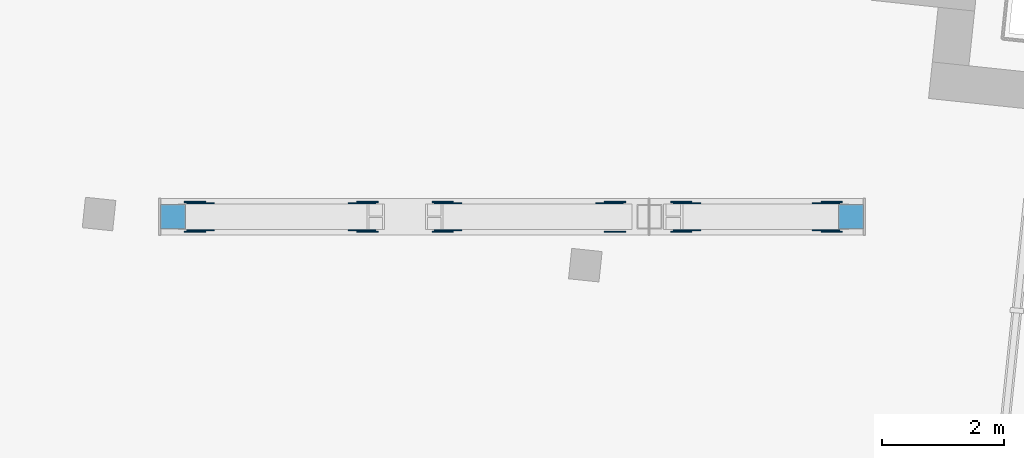
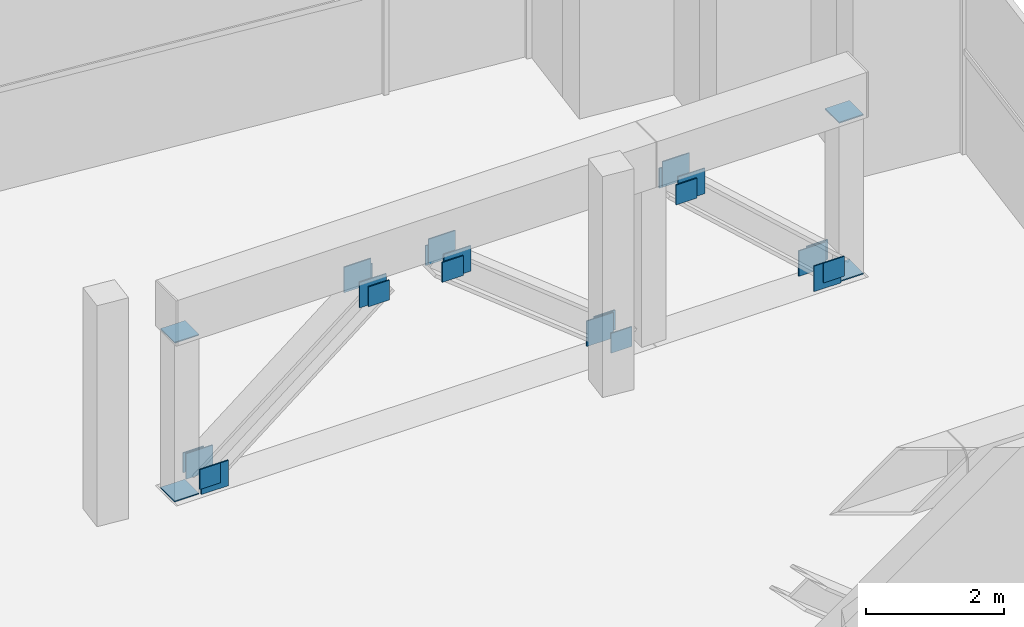
# One storey, part 13 of 18: 27 discrete accessories.
"""IFC4 building model written with IfcOpenShell, lengths in metres."""

from ifc_helpers import new_model, si_unit, direction, frame, origin, origin_2d, place, context, subcontext, project, spatial, rectangle, extrude, element, save


model = new_model("IFC4")

# Units and contexts
model_context = context("Model", 3, precision=1e-05, world=origin(), true_north=direction((0.0, 1.0)))
body_context = subcontext(model_context, "Body", "Model", "MODEL_VIEW")
ifc_project = project(units=[si_unit("LENGTHUNIT", "METRE"), si_unit("AREAUNIT", "SQUARE_METRE"), si_unit("VOLUMEUNIT", "CUBIC_METRE"), si_unit("PLANEANGLEUNIT", "RADIAN"), si_unit("MASSUNIT", "GRAM", prefix="KILO")], contexts=[model_context])

# Site, building, storey
site_placement = place(None, origin())
site = spatial("IfcSite", under=ifc_project, at=site_placement, CompositionType="ELEMENT")
building_placement = place(site_placement, origin())
building = spatial("IfcBuilding", under=site, at=building_placement, Name="Vidyagriha Tower", CompositionType="ELEMENT")
storey_placement = place(building_placement, frame((0.0, 0.0, 249.199951171875)))
storey = spatial("IfcBuildingStorey", under=building, at=storey_placement, Name="L64", CompositionType="ELEMENT", Elevation=249.199951171875)

# Discrete accessories
for number, where, name in (
    (1, (18.654052734375, 11.221923828125, 0.0), "Truss gusset plate ASTM A572 Grade 50 20mm"),
    (2, (18.654052734375, 10.778076171875, 0.0), "Truss gusset plate ASTM A572 Grade 50 20mm"),
    (3, (21.2958984375, 11.221923828125, 2.3701171875), "Truss gusset plate ASTM A572 Grade 50 20mm"),
    (4, (21.2958984375, 10.778076171875, 2.3701171875), "Truss gusset plate ASTM A572 Grade 50 20mm"),
    (5, (22.7041015625, 11.221923828125, 2.3701171875), "Truss gusset plate ASTM A572 Grade 50 20mm"),
    (6, (22.7041015625, 10.778076171875, 2.3701171875), "Truss gusset plate ASTM A572 Grade 50 20mm"),
    (7, (25.345947265625, 11.221923828125, 0.0), "Truss gusset plate ASTM A572 Grade 50 20mm"),
    (8, (26.614013671875, 11.221923828125, 2.3701171875), "Truss gusset plate ASTM A572 Grade 50 20mm"),
    (9, (26.614013671875, 10.778076171875, 2.3701171875), "Truss gusset plate ASTM A572 Grade 50 20mm"),
    (10, (28.885986328125, 11.221923828125, 0.0), "Truss gusset plate ASTM A572 Grade 50 20mm"),
    (11, (28.885986328125, 10.778076171875, 0.0), "Truss gusset plate ASTM A572 Grade 50 20mm"),
):
    element("IfcDiscreteAccessory", number, at=place(storey_placement, frame(where)), inside=storey, Name=name, ObjectType="GUSSET PLATE", PredefinedType="USERDEFINED", context=body_context, shape_type="SweptSolid", body=[
        extrude(rectangle(XDim=0.449951171875, YDim=0.02001953125, at=origin_2d()), origin(), (0.0, 0.0, 1.0), 0.449951171875),
    ])
for number, where, z_axis, x_axis, name in (
    (12, (18.566162109375, 10.757568359375, 0.11572265625), (0.0, 0.0, 1.0), (-1.0, 0.0, 0.0), "End plate ASTM A572 Grade 50 20mm"),
    (13, (18.566162109375, 11.242431640625, 0.11572265625), (0.0, 0.0, 1.0), (-1.0, 0.0, 0.0), "End plate ASTM A572 Grade 50 20mm"),
):
    element("IfcDiscreteAccessory", number, at=place(storey_placement, frame(where, z_axis=z_axis, x_axis=x_axis)), inside=storey, Name=name, ObjectType="END PLATE", PredefinedType="USERDEFINED", context=body_context, shape_type="SweptSolid", body=[
        extrude(rectangle(XDim=0.35009765625, YDim=0.02001953125, at=origin_2d()), origin(), (0.0, 0.0, 1.0), 0.35009765625),
    ])
for number, where, name in (
    (14, (21.3837890625, 11.242431640625, 2.354248046875), "End plate ASTM A572 Grade 50 20mm"),
    (15, (21.3837890625, 10.757568359375, 2.354248046875), "End plate ASTM A572 Grade 50 20mm"),
):
    element("IfcDiscreteAccessory", number, at=place(storey_placement, frame(where)), inside=storey, Name=name, ObjectType="END PLATE", PredefinedType="USERDEFINED", context=body_context, shape_type="SweptSolid", body=[
        extrude(rectangle(XDim=0.35009765625, YDim=0.02001953125, at=origin_2d()), origin(), (0.0, 0.0, 1.0), 0.35009765625),
    ])
for number, where, z_axis, x_axis, name in (
    (16, (22.6162109375, 10.757568359375, 2.354248046875), (0.0, 0.0, 1.0), (-1.0, 0.0, 0.0), "End plate ASTM A572 Grade 50 20mm"),
    (17, (22.6162109375, 11.242431640625, 2.354248046875), (0.0, 0.0, 1.0), (-1.0, 0.0, 0.0), "End plate ASTM A572 Grade 50 20mm"),
):
    element("IfcDiscreteAccessory", number, at=place(storey_placement, frame(where, z_axis=z_axis, x_axis=x_axis)), inside=storey, Name=name, ObjectType="END PLATE", PredefinedType="USERDEFINED", context=body_context, shape_type="SweptSolid", body=[
        extrude(rectangle(XDim=0.35009765625, YDim=0.02001953125, at=origin_2d()), origin(), (0.0, 0.0, 1.0), 0.35009765625),
    ])
for number, where, name in (
    (18, (25.433837890625, 11.242431640625, 0.11572265625), "End plate ASTM A572 Grade 50 20mm"),
    (19, (25.433837890625, 10.757568359375, 0.11572265625), "End plate ASTM A572 Grade 50 20mm"),
):
    element("IfcDiscreteAccessory", number, at=place(storey_placement, frame(where)), inside=storey, Name=name, ObjectType="END PLATE", PredefinedType="USERDEFINED", context=body_context, shape_type="SweptSolid", body=[
        extrude(rectangle(XDim=0.35009765625, YDim=0.02001953125, at=origin_2d()), origin(), (0.0, 0.0, 1.0), 0.35009765625),
    ])
for number, where, z_axis, x_axis, name in (
    (20, (26.5185546875, 10.757568359375, 2.355224609375), (0.0, 0.0, 1.0), (-1.0, 0.0, 0.0), "End plate ASTM A572 Grade 50 20mm"),
    (21, (26.5185546875, 11.242431640625, 2.355224609375), (0.0, 0.0, 1.0), (-1.0, 0.0, 0.0), "End plate ASTM A572 Grade 50 20mm"),
):
    element("IfcDiscreteAccessory", number, at=place(storey_placement, frame(where, z_axis=z_axis, x_axis=x_axis)), inside=storey, Name=name, ObjectType="END PLATE", PredefinedType="USERDEFINED", context=body_context, shape_type="SweptSolid", body=[
        extrude(rectangle(XDim=0.35009765625, YDim=0.02001953125, at=origin_2d()), origin(), (0.0, 0.0, 1.0), 0.35009765625),
    ])
for number, where, name in (
    (22, (28.9814453125, 11.242431640625, 0.11474609375), "End plate ASTM A572 Grade 50 20mm"),
    (23, (28.9814453125, 10.757568359375, 0.11474609375), "End plate ASTM A572 Grade 50 20mm"),
):
    element("IfcDiscreteAccessory", number, at=place(storey_placement, frame(where)), inside=storey, Name=name, ObjectType="END PLATE", PredefinedType="USERDEFINED", context=body_context, shape_type="SweptSolid", body=[
        extrude(rectangle(XDim=0.35009765625, YDim=0.02001953125, at=origin_2d()), origin(), (0.0, 0.0, 1.0), 0.35009765625),
    ])
for number, where, name in (
    (24, (18.203125, 11.0, -0.000244140625), "End plate ASTM A572 Grade 50 20mm"),
    (25, (18.203125, 11.0, 2.80029296875), "End plate ASTM A572 Grade 50 20mm"),
    (26, (29.296875, 11.0, -0.000244140625), "End plate ASTM A572 Grade 50 20mm"),
    (27, (29.296875, 11.0, 2.80029296875), "End plate ASTM A572 Grade 50 20mm"),
):
    element("IfcDiscreteAccessory", number, at=place(storey_placement, frame(where)), inside=storey, Name=name, ObjectType="END PLATE", PredefinedType="USERDEFINED", context=body_context, shape_type="SweptSolid", body=[
        extrude(rectangle(XDim=0.406494140625, YDim=0.406494140625, at=origin_2d()), origin(), (0.0, 0.0, 1.0), 0.02001953125),
    ])

save(model, "model.ifc")
